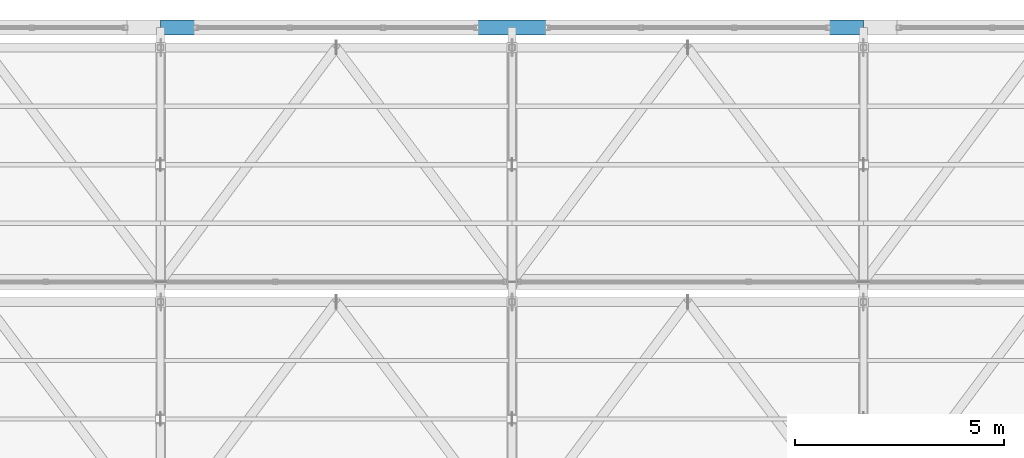
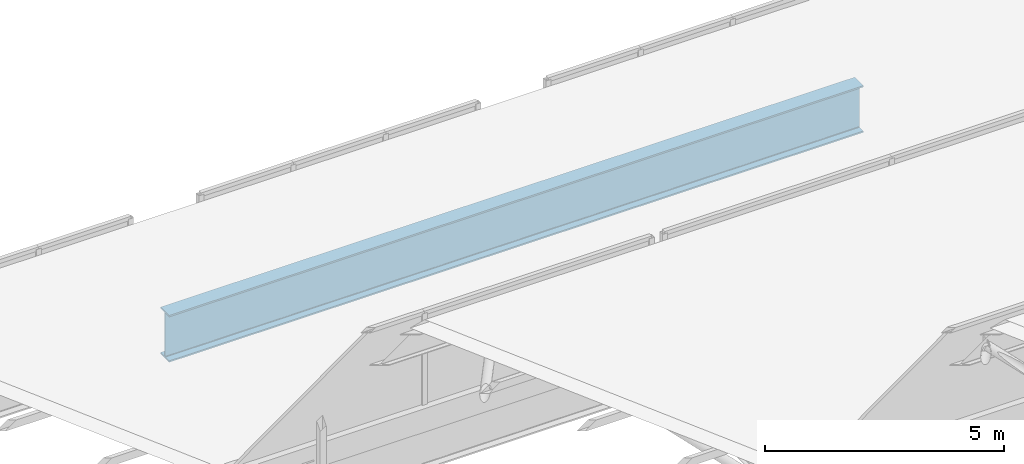
# One storey, part 131 of 217: 1 beam.
"""IFC4 building model written with IfcOpenShell, lengths in metres."""

from ifc_helpers import new_model, si_unit, direction, frame, origin, origin_2d, place, context, subcontext, project, spatial, i_section, extrude, material, material_profile, profile_set, type_object, element, save


model = new_model("IFC4")

# Units and contexts
model_context = context("Model", 3, precision=1e-05, world=origin(), true_north=direction((0.0, 1.0)))
body_context = subcontext(model_context, "Body", "Model", "MODEL_VIEW")
ifc_project = project(units=[si_unit("LENGTHUNIT", "METRE"), si_unit("AREAUNIT", "SQUARE_METRE"), si_unit("VOLUMEUNIT", "CUBIC_METRE"), si_unit("PLANEANGLEUNIT", "RADIAN"), si_unit("MASSUNIT", "GRAM", prefix="KILO")], contexts=[model_context])

# Site, building, storey
site_placement = place(None, origin())
site = spatial("IfcSite", under=ifc_project, at=site_placement, CompositionType="ELEMENT")
building_placement = place(site_placement, origin())
building = spatial("IfcBuilding", under=site, at=building_placement, Name="Zuvorla Pavilion Media Centre", CompositionType="ELEMENT")
storey_placement = place(building_placement, frame((0.0, 0.0, 9.60009765625)))
storey = spatial("IfcBuildingStorey", under=building, at=storey_placement, Name="L02", CompositionType="ELEMENT", Elevation=9.60009765625)

# Beam
ifc_material = material(Name="Steel S355", Category="steel")
ifc_material_profile = material_profile(ifc_material, i_section(OverallWidth=0.360107421875, OverallDepth=1.199951171875, WebThickness=0.02001953125, FlangeThickness=0.0380859375, FilletRadius=0.02392578125, at=origin_2d()), Name="PG 1200x360x38")
ifc_profile_set = profile_set([ifc_material_profile], Name="Steel S355")
beam_type = type_object("IfcBeamType", Name="BM-PG1200", PredefinedType="BEAM", material=ifc_profile_set)
beam_placement = place(storey_placement, frame((108.800048828125, 120.0, -0.88818359375), z_axis=(1.0, 0.0, 0.0), x_axis=(0.0, 1.0, 0.0)))
element("IfcBeam", 1, at=beam_placement, inside=storey, type_object=beam_type, Name="L02 beam B01 1812", PredefinedType="BEAM", context=body_context, shape_type="SweptSolid", body=[
    extrude(i_section(OverallWidth=0.360107421875, OverallDepth=1.199951171875, WebThickness=0.02001953125, FlangeThickness=0.0380859375, FilletRadius=0.02392578125, at=origin_2d()), origin(), (0.0, 0.0, 1.0), 16.800048828125),
])

save(model, "model.ifc")
